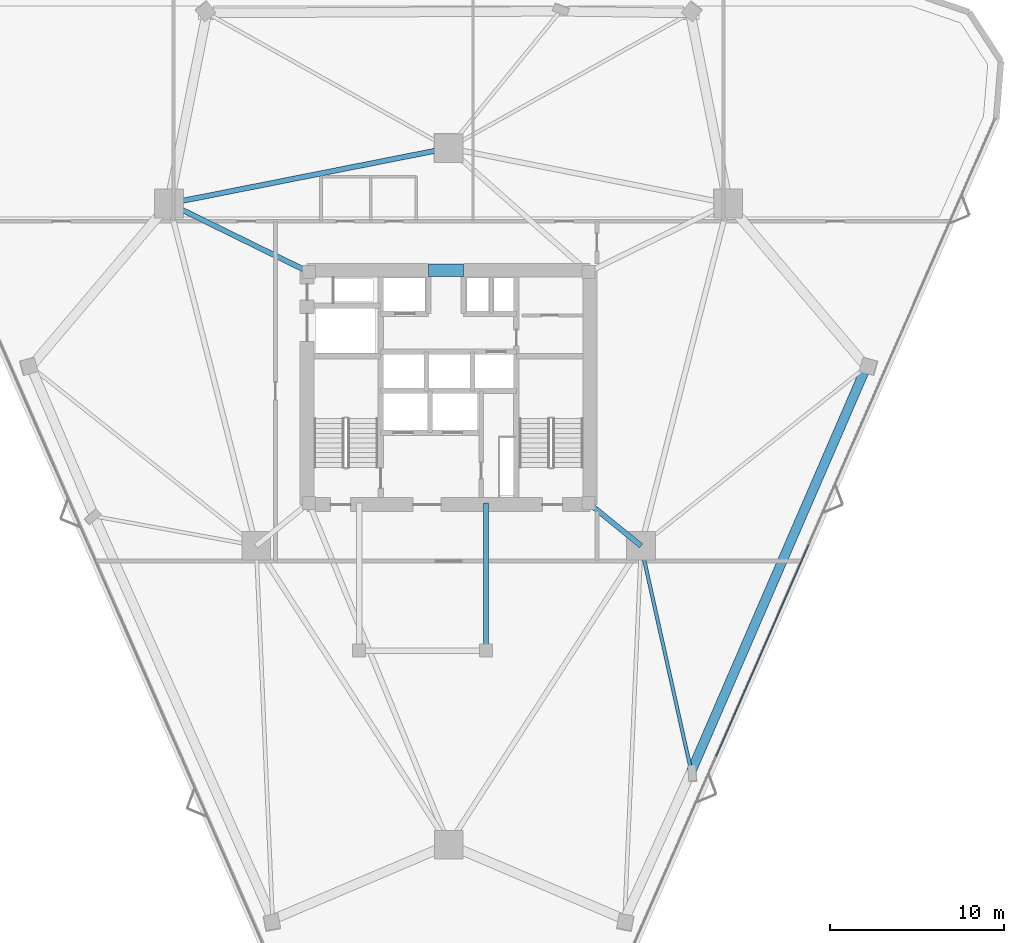
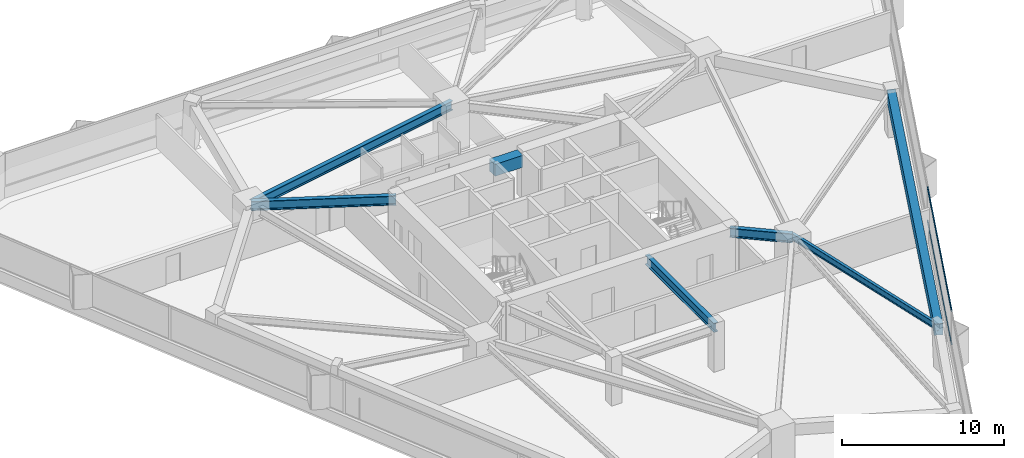
# One storey, part 8 of 20: 7 beams, 2 members, 1 element without a shape of its own.
"""IFC4 building model written with IfcOpenShell, lengths in metres."""

import ifcopenshell
import ifcopenshell.guid

model = None  # the IFC model being written
_history = None  # IfcOwnerHistory: only IFC2X3 demands one
_inside = {}  # id of a spatial element -> (the spatial element, [elements in it])
_under = {}  # id of a project, library or spatial element -> (it, [spatial elements below it])
_declared = {}  # id of a project -> (the project, [libraries it declares])
_typed = {}  # id of a type object -> (the type object, [elements of that type])
_made_of = {}  # id of a material, layer set ... -> (it, [elements and type objects made of it])


def new_model(schema):
    """Start an empty IFC model of exactly this schema.

    Asked for "IFC4X3", IfcOpenShell would pick the latest addendum, in which some entities
    have other attributes; the version numbers below select the first issue.
    IFC2X3 requires an IfcOwnerHistory on every rooted entity: one is made here for all.
    """
    global model, _history
    if schema == "IFC4X3":
        model = ifcopenshell.file(schema_version=(4, 3, 0, 0))
    else:
        model = ifcopenshell.file(schema=schema)
    _inside.clear()
    _under.clear()
    _declared.clear()
    _typed.clear()
    _made_of.clear()
    _history = None
    if model.schema == "IFC2X3":
        org = make("IfcOrganization", Name="unknown")
        user = make(
            "IfcPersonAndOrganization",
            ThePerson=make("IfcPerson", FamilyName="unknown"),
            TheOrganization=org,
        )
        app = make(
            "IfcApplication",
            ApplicationDeveloper=org,
            Version="unknown",
            ApplicationFullName="unknown",
            ApplicationIdentifier="unknown",
        )
        _history = make(
            "IfcOwnerHistory",
            OwningUser=user,
            OwningApplication=app,
            ChangeAction="ADDED",
            CreationDate=0,
        )
    return model


def make(cls, **values):
    """One entity of the class cls with the attributes given. An attribute that is None is left unset."""
    return model.create_entity(
        cls, **{name: value for name, value in values.items() if value is not None}
    )


def rooted(cls, **values):
    """An entity with a GlobalId (a new one), such as an element, a storey or a relation."""
    return make(cls, GlobalId=ifcopenshell.guid.new(), OwnerHistory=_history, **values)


def si_unit(unit_type, name, prefix=None):
    """IfcSIUnit, for example si_unit("LENGTHUNIT", "METRE", prefix="MILLI")."""
    return make("IfcSIUnit", UnitType=unit_type, Prefix=prefix, Name=name)


def assignment(units):
    """IfcUnitAssignment: the units of a project."""
    return None if units is None else make("IfcUnitAssignment", Units=units)


def point(xyz):
    """IfcCartesianPoint."""
    return None if xyz is None else make("IfcCartesianPoint", Coordinates=xyz)


def direction(xyz):
    """IfcDirection."""
    return None if xyz is None else make("IfcDirection", DirectionRatios=xyz)


def frame(location, z_axis=None, x_axis=None):
    """IfcAxis2Placement3D, a coordinate frame: its origin and axes. An axis left out is left unset."""
    return make(
        "IfcAxis2Placement3D",
        Location=point(location),
        Axis=direction(z_axis),
        RefDirection=direction(x_axis),
    )


def frame_2d(location, x_axis=None):
    """IfcAxis2Placement2D, a coordinate frame in the plane: its origin and x axis."""
    return make(
        "IfcAxis2Placement2D", Location=point(location), RefDirection=direction(x_axis)
    )


def origin():
    """The frame at (0, 0, 0) with its axes left unset."""
    return frame((0.0, 0.0, 0.0))


def origin_2d():
    """The frame at (0, 0) in the plane with its x axis left unset."""
    return frame_2d((0.0, 0.0))


def place(relative_to, where):
    """IfcLocalPlacement: puts the frame where relative to a parent placement (None: the world)."""
    return make(
        "IfcLocalPlacement", PlacementRelTo=relative_to, RelativePlacement=where
    )


def context(
    kind, dimensions, precision=None, world=None, true_north=None, identifier=None
):
    """IfcGeometricRepresentationContext, for example the 3D "Model" context."""
    return make(
        "IfcGeometricRepresentationContext",
        ContextIdentifier=identifier,
        ContextType=kind,
        CoordinateSpaceDimension=dimensions,
        Precision=precision,
        WorldCoordinateSystem=world,
        TrueNorth=true_north,
    )


def subcontext(parent, identifier, kind, view, scale=None):
    """IfcGeometricRepresentationSubContext, for example "Body" below "Model"."""
    return make(
        "IfcGeometricRepresentationSubContext",
        ContextIdentifier=identifier,
        ContextType=kind,
        ParentContext=parent,
        TargetScale=scale,
        TargetView=view,
    )


def project(units=None, contexts=None):
    """IfcProject with its units and contexts."""
    return rooted(
        "IfcProject",
        Name="project",
        RepresentationContexts=contexts,
        UnitsInContext=assignment(units),
    )


def spatial(cls, under=None, at=None, **own):
    """A site, building, storey or space (cls), placed at a placement, below another one or the project."""
    s = rooted(cls, ObjectPlacement=at, **own)
    if under is not None:
        _under.setdefault(under.id(), (under, []))[1].append(s)
    return s


def profile(cls, at=None, kind="AREA", **sizes):
    """A parametric profile (cls). Its sizes go by their IFC names, for example OverallWidth=200.0."""
    return make(cls, ProfileType=kind, Position=at, **sizes)


def rectangle(**sizes):
    """IfcRectangleProfileDef."""
    return profile("IfcRectangleProfileDef", **sizes)


def i_section(**sizes):
    """IfcIShapeProfileDef."""
    return profile("IfcIShapeProfileDef", **sizes)


def extrude(swept, where, along, depth):
    """IfcExtrudedAreaSolid: the profile swept, set in the frame where, extruded along a direction by depth."""
    return make(
        "IfcExtrudedAreaSolid",
        SweptArea=swept,
        Position=where,
        ExtrudedDirection=direction(along),
        Depth=depth,
    )


def shape(context_of_items, identifier, shape_type, items):
    """IfcShapeRepresentation: the items that make up one representation, for example the "Body"."""
    return make(
        "IfcShapeRepresentation",
        ContextOfItems=context_of_items,
        RepresentationIdentifier=identifier,
        RepresentationType=shape_type,
        Items=items,
    )


def material(Name=None, Category=None):
    """IfcMaterial."""
    return make("IfcMaterial", Name=Name, Category=Category)


def layer(
    of_material, thickness, ventilated=None, Name=None, Category=None, Priority=None
):
    """IfcMaterialLayer: one layer of a wall or slab, of a material (None: an air gap)."""
    return make(
        "IfcMaterialLayer",
        Material=of_material,
        LayerThickness=thickness,
        IsVentilated=ventilated,
        Name=Name,
        Category=Category,
        Priority=Priority,
    )


def layer_set(layers, Name=None):
    """IfcMaterialLayerSet."""
    return make("IfcMaterialLayerSet", MaterialLayers=layers, LayerSetName=Name)


def material_profile(
    of_material, cross_section, Name=None, Category=None, Priority=None
):
    """IfcMaterialProfile: a cross section and its material."""
    return make(
        "IfcMaterialProfile",
        Name=Name,
        Material=of_material,
        Profile=cross_section,
        Priority=Priority,
        Category=Category,
    )


def profile_set(profiles, Name=None, composite=None):
    """IfcMaterialProfileSet."""
    return make(
        "IfcMaterialProfileSet",
        Name=Name,
        MaterialProfiles=profiles,
        CompositeProfile=composite,
    )


def made_of(thing, what):
    """Note that an element or type object is made of a material, layer set ...; save() writes the relation."""
    if what is not None:
        _made_of.setdefault(what.id(), (what, []))[1].append(thing)
    return thing


def type_object(cls, material=None, **own):
    """A type object (cls), such as IfcWallType, which elements share."""
    return made_of(rooted(cls, **own), material)


def element(
    cls,
    number,
    at=None,
    inside=None,
    cuts=None,
    type_object=None,
    material=None,
    context=None,
    identifier="Body",
    shape_type=None,
    held_by="IfcProductDefinitionShape",
    body=None,
    shapes=None,
    **own,
):
    """One element of the class cls, such as IfcWall. Its Tag is "e" and its number.

    at: its placement. inside: the storey or other place that contains it. cuts: it is an
    opening in that element (IfcRelVoidsElement). A single representation is given by context,
    identifier, shape_type and body (its items); several are given by shapes. held_by: the class
    of the entity that holds the representations. save() writes the other relations.
    """
    e = rooted(cls, Tag="e%d" % number, ObjectPlacement=at, **own)
    if body is not None:
        shapes = [shape(context, identifier, shape_type, body)]
    if shapes is not None:
        e.Representation = make(held_by, Representations=shapes)
    if inside is not None:
        _inside.setdefault(inside.id(), (inside, []))[1].append(e)
    if cuts is not None:
        rooted(
            "IfcRelVoidsElement", RelatingBuildingElement=cuts, RelatedOpeningElement=e
        )
    if type_object is not None:
        _typed.setdefault(type_object.id(), (type_object, []))[1].append(e)
    return made_of(e, material)


def aggregate(whole, parts):
    """IfcRelAggregates: a whole, such as a stair, and the parts it consists of."""
    return rooted("IfcRelAggregates", RelatingObject=whole, RelatedObjects=parts)


def save(model, path):
    """Write the relations noted so far, then the file.

    IfcRelAggregates (storeys below a building ...), IfcRelContainedInSpatialStructure (elements
    in a storey), IfcRelDefinesByType, IfcRelAssociatesMaterial and IfcRelDeclares: one each for
    every whole, place, type object, material and project.
    """
    for whole, parts in _under.values():
        aggregate(whole, parts)
    for where, things in _inside.values():
        rooted(
            "IfcRelContainedInSpatialStructure",
            RelatedElements=things,
            RelatingStructure=where,
        )
    for kind, things in _typed.values():
        rooted("IfcRelDefinesByType", RelatedObjects=things, RelatingType=kind)
    for what, things in _made_of.values():
        rooted("IfcRelAssociatesMaterial", RelatedObjects=things, RelatingMaterial=what)
    for by, libraries in _declared.values():
        rooted("IfcRelDeclares", RelatingContext=by, RelatedDefinitions=libraries)
    model.write(path)


model = new_model("IFC4")

# Units and contexts
model_context = context("Model", 3, precision=1e-05, world=origin(), true_north=direction((0.0, 1.0)))
body_context = subcontext(model_context, "Body", "Model", "MODEL_VIEW")
ifc_project = project(units=[si_unit("LENGTHUNIT", "METRE"), si_unit("AREAUNIT", "SQUARE_METRE"), si_unit("VOLUMEUNIT", "CUBIC_METRE"), si_unit("PLANEANGLEUNIT", "RADIAN"), si_unit("MASSUNIT", "GRAM", prefix="KILO")], contexts=[model_context])

# Site, building, storey
site_placement = place(None, origin())
site = spatial("IfcSite", under=ifc_project, at=site_placement, CompositionType="ELEMENT")
building_placement = place(site_placement, origin())
building = spatial("IfcBuilding", under=site, at=building_placement, Name="Talyreon Biosciences Tower", CompositionType="ELEMENT")
storey_placement = place(building_placement, frame((0.0, 0.0, 78.64990234375)))
storey = spatial("IfcBuildingStorey", under=building, at=storey_placement, Name="L20", CompositionType="ELEMENT", Elevation=78.64990234375)

# Curtain wall, members
ifc_material_1 = material(Name="Thermally broken aluminium and low-E glazing", Category="aluminium")
ifc_layer = layer(ifc_material_1, 0.18994140625)
ifc_layer_set = layer_set([ifc_layer], Name="Thermally broken aluminium and low-E glazing")
curtain_wall_type = type_object("IfcCurtainWallType", Name="CurtainWall_Zone2Genomics", PredefinedType="NOTDEFINED", material=ifc_layer_set)
curtain_wall_placement = place(storey_placement, origin())
curtain_wall = element("IfcCurtainWall", 1, at=curtain_wall_placement, inside=storey, type_object=curtain_wall_type, Name="L20 Unitised Curtain Wall FCW-L20-08", PredefinedType="NOTDEFINED")
ifc_material_2 = material(Name="Anodised thermally broken aluminium", Category="aluminium")
ifc_material_profile_1 = material_profile(ifc_material_2, rectangle(XDim=0.06494140625, YDim=0.139892578125, at=origin_2d()), Name="ALUM TRANSOM 65x140")
ifc_profile_set_1 = profile_set([ifc_material_profile_1], Name="Anodised thermally broken aluminium")
member_type = type_object("IfcMemberType", Name="CWTransom_65x140", PredefinedType="USERDEFINED", material=ifc_profile_set_1)
member_1_placement = place(storey_placement, frame((86.748779296875, 58.94091796875, 0.842529296875), z_axis=(-0.400681171348, -0.91621755, 0.0), x_axis=(0.91621755, -0.400681171348, 0.0)))
member_1 = element("IfcMember", 2, at=member_1_placement, type_object=member_type, Name="CW3 transom 3.1", ObjectType="TRANSOM", PredefinedType="USERDEFINED", context=body_context, shape_type="SweptSolid", body=[
    extrude(rectangle(XDim=0.06494140625, YDim=0.139892578125, at=origin_2d()), origin(), (0.0, 0.0, 1.0), 13.304443359375),
])
member_2_placement = place(storey_placement, frame((86.748779296875, 58.94091796875, 3.342529296875), z_axis=(-0.400681171348, -0.91621755, 0.0), x_axis=(0.91621755, -0.400681171348, 0.0)))
member_2 = element("IfcMember", 3, at=member_2_placement, type_object=member_type, Name="CW3 transom 3.2", ObjectType="TRANSOM", PredefinedType="USERDEFINED", context=body_context, shape_type="SweptSolid", body=[
    extrude(rectangle(XDim=0.06494140625, YDim=0.139892578125, at=origin_2d()), origin(), (0.0, 0.0, 1.0), 13.304443359375),
])
aggregate(curtain_wall, [member_1, member_2])

# Beams
ifc_material_3 = material(Name="Concrete C60/75", Category="concrete")
ifc_material_profile_2 = material_profile(ifc_material_3, rectangle(XDim=0.699951171875, YDim=0.89990234375, at=origin_2d()), Name="RCB 700x900")
ifc_profile_set_2 = profile_set([ifc_material_profile_2], Name="Concrete C60/75")
beam_type_1 = type_object("IfcBeamType", Name="CoreCouplingLintel_700x900", PredefinedType="LINTEL", material=ifc_profile_set_2)
beam_1_placement = place(storey_placement, frame((64.85009765625, 74.75, 2.925048828125), z_axis=(1.0, 0.0, 0.0), x_axis=(0.0, 1.0, 0.0)))
element("IfcBeam", 4, at=beam_1_placement, inside=storey, type_object=beam_type_1, Name="L20 Core Coupling Lintel", PredefinedType="LINTEL", context=body_context, shape_type="SweptSolid", body=[
    extrude(rectangle(XDim=0.699951171875, YDim=0.89990234375, at=origin_2d()), origin(), (0.0, 0.0, 1.0), 2.0),
])
ifc_material_4 = material(Name="Precast concrete C45/55", Category="concrete")
ifc_material_profile_3 = material_profile(ifc_material_4, rectangle(XDim=0.550048828125, YDim=0.85009765625, at=origin_2d()), Name="RCB 550x850")
ifc_profile_set_3 = profile_set([ifc_material_profile_3], Name="Precast concrete C45/55")
beam_type_2 = type_object("IfcBeamType", Name="ExpressedSpandrel_550x850", PredefinedType="SPANDREL", material=ifc_profile_set_3)
beam_2_placement = place(storey_placement, frame((79.98046875, 45.885009765625, 2.9501953125), z_axis=(0.397074397654, 0.917786425443, 0.0), x_axis=(-0.917786425443, 0.397074397654, 0.0)))
element("IfcBeam", 5, at=beam_2_placement, inside=storey, type_object=beam_type_2, Name="L20 Expressed Horizontal Concrete Spandrel 03", PredefinedType="SPANDREL", context=body_context, shape_type="SweptSolid", body=[
    extrude(rectangle(XDim=0.550048828125, YDim=0.85009765625, at=origin_2d()), origin(), (0.0, 0.0, 1.0), 25.40185546875),
])
ifc_material_5 = material(Name="Steel SM355", Category="steel")
ifc_material_profile_4 = material_profile(ifc_material_5, i_section(OverallWidth=0.300048828125, OverallDepth=0.699951171875, WebThickness=0.01708984375, FlangeThickness=0.031982421875, FilletRadius=0.027099609375, at=origin_2d()), Name="HE700B")
ifc_profile_set_4 = profile_set([ifc_material_profile_4], Name="Steel SM355")
beam_type_3 = type_object("IfcBeamType", Name="SteelGirder_HE700B", PredefinedType="BEAM", material=ifc_profile_set_4)
beam_3_placement = place(storey_placement, frame((66.0, 81.788818359375, 3.025146484375), z_axis=(-0.980933730698, -0.194342522311, 0.0), x_axis=(0.194342522311, -0.980933730698, 0.0)))
element("IfcBeam", 6, at=beam_3_placement, inside=storey, type_object=beam_type_3, Name="L20 Mega-Ring Girder 4", PredefinedType="BEAM", context=body_context, shape_type="SweptSolid", body=[
    extrude(i_section(OverallWidth=0.300048828125, OverallDepth=0.699951171875, WebThickness=0.01708984375, FlangeThickness=0.031982421875, FilletRadius=0.027099609375, at=origin_2d()), origin(), (0.0, 0.0, 1.0), 16.415283203125),
])
beam_4_placement = place(storey_placement, frame((74.050048828125, 61.35009765625, 3.025146484375), z_axis=(0.775755154013, -0.631034025249, 0.0), x_axis=(0.631034025249, 0.775755154013, 0.0)))
element("IfcBeam", 7, at=beam_4_placement, inside=storey, type_object=beam_type_3, Name="L20 Radial Primary Girder 2", PredefinedType="BEAM", context=body_context, shape_type="SweptSolid", body=[
    extrude(i_section(OverallWidth=0.300048828125, OverallDepth=0.699951171875, WebThickness=0.01708984375, FlangeThickness=0.031982421875, FilletRadius=0.027099609375, at=origin_2d()), origin(), (0.0, 0.0, 1.0), 3.913818359375),
])
beam_5_placement = place(storey_placement, frame((57.949951171875, 74.64990234375, 3.025146484375), z_axis=(-0.897852360314, 0.440296648952, 0.0), x_axis=(-0.440296648952, -0.897852360314, 0.0)))
element("IfcBeam", 8, at=beam_5_placement, inside=storey, type_object=beam_type_3, Name="L20 Radial Primary Girder 5", PredefinedType="BEAM", context=body_context, shape_type="SweptSolid", body=[
    extrude(i_section(OverallWidth=0.300048828125, OverallDepth=0.699951171875, WebThickness=0.01708984375, FlangeThickness=0.031982421875, FilletRadius=0.027099609375, at=origin_2d()), origin(), (0.0, 0.0, 1.0), 8.96826171875),
])
beam_6_placement = place(storey_placement, frame((68.14990234375, 52.840087890625, 3.025146484375), z_axis=(0.0, 1.0, 0.0), x_axis=(-1.0, 0.0, 0.0)))
element("IfcBeam", 9, at=beam_6_placement, inside=storey, type_object=beam_type_3, Name="L20 Crown Shaft Tie Girder E", PredefinedType="BEAM", context=body_context, shape_type="SweptSolid", body=[
    extrude(i_section(OverallWidth=0.300048828125, OverallDepth=0.699951171875, WebThickness=0.01708984375, FlangeThickness=0.031982421875, FilletRadius=0.027099609375, at=origin_2d()), origin(), (0.0, 0.0, 1.0), 8.510009765625),
])
ifc_material_profile_5 = material_profile(ifc_material_5, i_section(OverallWidth=0.199951171875, OverallDepth=0.5, WebThickness=0.01025390625, FlangeThickness=0.01611328125, FilletRadius=0.02099609375, at=origin_2d()), Name="IPE500")
ifc_profile_set_5 = profile_set([ifc_material_profile_5], Name="Steel SM355")
beam_type_4 = type_object("IfcBeamType", Name="SteelJoist_IPE500", PredefinedType="JOIST", material=ifc_profile_set_5)
beam_7_placement = place(storey_placement, frame((77.086181640625, 58.88037109375, 3.125), z_axis=(0.217390596112, -0.976084693417, 0.0), x_axis=(0.976084693417, 0.217390596112, 0.0)))
element("IfcBeam", 10, at=beam_7_placement, inside=storey, type_object=beam_type_4, Name="L20 Radial Composite Floor Joist PL-SE", PredefinedType="JOIST", context=body_context, shape_type="SweptSolid", body=[
    extrude(i_section(OverallWidth=0.199951171875, OverallDepth=0.5, WebThickness=0.01025390625, FlangeThickness=0.01611328125, FilletRadius=0.02099609375, at=origin_2d()), origin(), (0.0, 0.0, 1.0), 13.313720703125),
])

save(model, "model.ifc")
